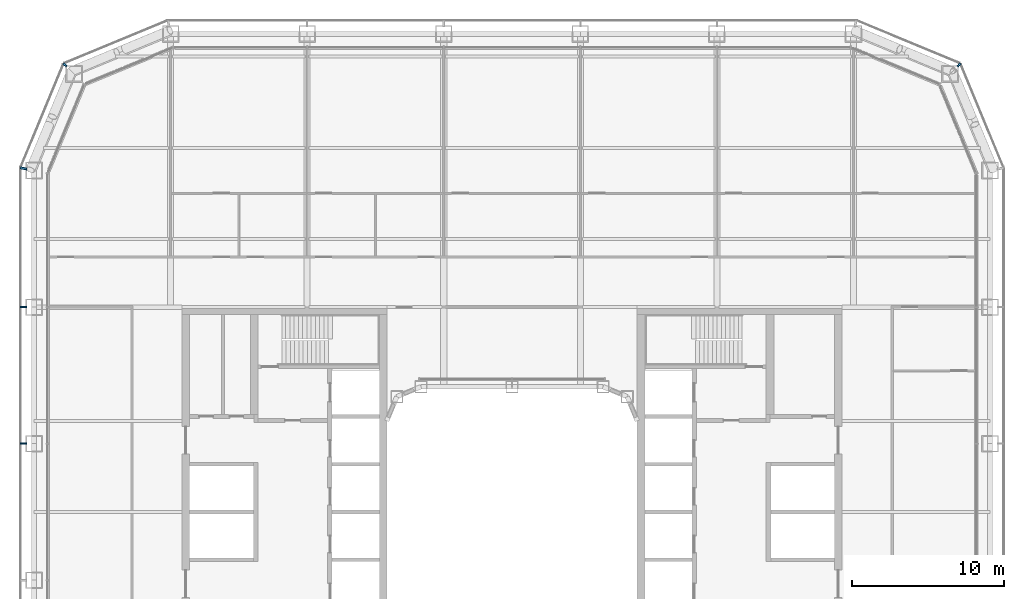
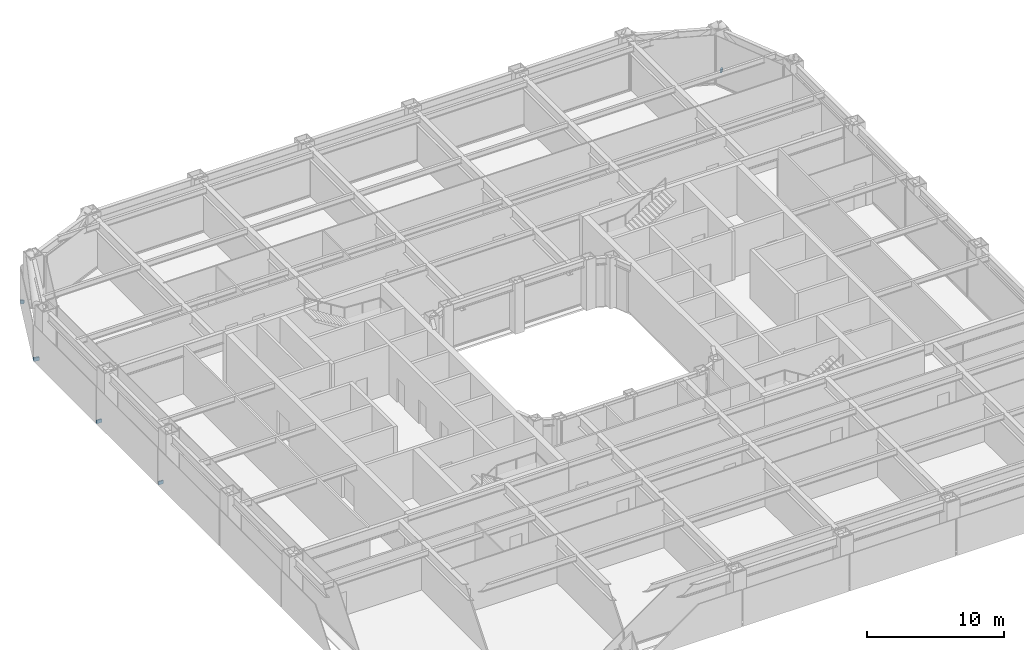
# One storey, part 17 of 24: 5 discrete accessories.
"""IFC4 building model written with IfcOpenShell, lengths in metres."""

from ifc_helpers import new_model, si_unit, direction, frame, origin, origin_2d, place, context, subcontext, project, spatial, rectangle, extrude, material, type_object, element, save


model = new_model("IFC4")

# Units and contexts
model_context = context("Model", 3, precision=1e-05, world=origin(), true_north=direction((0.0, 1.0)))
body_context = subcontext(model_context, "Body", "Model", "MODEL_VIEW")
ifc_project = project(units=[si_unit("LENGTHUNIT", "METRE"), si_unit("AREAUNIT", "SQUARE_METRE"), si_unit("VOLUMEUNIT", "CUBIC_METRE"), si_unit("PLANEANGLEUNIT", "RADIAN"), si_unit("MASSUNIT", "GRAM", prefix="KILO")], contexts=[model_context])

# Site, building, storey
site_placement = place(None, origin())
site = spatial("IfcSite", under=ifc_project, at=site_placement, CompositionType="ELEMENT")
building_placement = place(site_placement, origin())
building = spatial("IfcBuilding", under=site, at=building_placement, Name="Siwar Civic Tower", CompositionType="ELEMENT")
storey_placement = place(building_placement, frame((0.0, 0.0, 40.199951171875)))
storey = spatial("IfcBuildingStorey", under=building, at=storey_placement, Name="L08", CompositionType="ELEMENT", Elevation=40.199951171875)

# Discrete accessories
ifc_material = material(Name="Stainless steel 316", Category="steel")
discrete_accessory_type = type_object("IfcDiscreteAccessoryType", Name="ENV-BRACKET", PredefinedType="BRACKET", material=ifc_material)
for number, where, z_axis, x_axis, name in (
    (1, (29.451416015625, 29.451416015625, -0.14990234375), (0.0, 0.0, 1.0), (0.707106781187, 0.707106781187, 0.0), "Bracket outer skin joint V05"),
    (2, (-29.451416015625, 29.451416015625, -0.14990234375), (0.0, 0.0, 1.0), (-0.707106781187, 0.707106781187, 0.0), "Bracket outer skin joint V08"),
):
    element("IfcDiscreteAccessory", number, at=place(storey_placement, frame(where, z_axis=z_axis, x_axis=x_axis)), inside=storey, type_object=discrete_accessory_type, Name=name, PredefinedType="BRACKET", context=body_context, shape_type="SweptSolid", body=[
        extrude(rectangle(XDim=0.287109375, YDim=0.12939453125, at=origin_2d()), origin(), (0.0, 0.0, 1.0), 0.300048828125),
    ])
discrete_accessory_placement = place(storey_placement, frame((-32.190185546875, 22.63720703125, -0.14990234375), z_axis=(0.0, 0.0, 1.0), x_axis=(-0.980785280403, 0.195090322016, 0.0)))
element("IfcDiscreteAccessory", 3, at=discrete_accessory_placement, inside=storey, type_object=discrete_accessory_type, Name="Bracket outer skin joint V09", PredefinedType="BRACKET", context=body_context, shape_type="SweptSolid", body=[
    extrude(rectangle(XDim=0.427734375, YDim=0.13720703125, at=origin_2d()), origin(), (0.0, 0.0, 1.0), 0.300048828125),
])
for number, where, z_axis, x_axis, name in (
    (4, (-32.18994140625, 13.5, -0.14990234375), (0.0, 0.0, 1.0), (-1.0, 0.0, 0.0), "Bracket outer skin joint W-01"),
    (5, (-32.18994140625, 4.5, -0.14990234375), (0.0, 0.0, 1.0), (-1.0, 0.0, 0.0), "Bracket outer skin joint W-02"),
):
    element("IfcDiscreteAccessory", number, at=place(storey_placement, frame(where, z_axis=z_axis, x_axis=x_axis)), inside=storey, type_object=discrete_accessory_type, Name=name, PredefinedType="BRACKET", context=body_context, shape_type="SweptSolid", body=[
        extrude(rectangle(XDim=0.419921875, YDim=0.10009765625, at=origin_2d()), origin(), (0.0, 0.0, 1.0), 0.300048828125),
    ])

save(model, "model.ifc")
